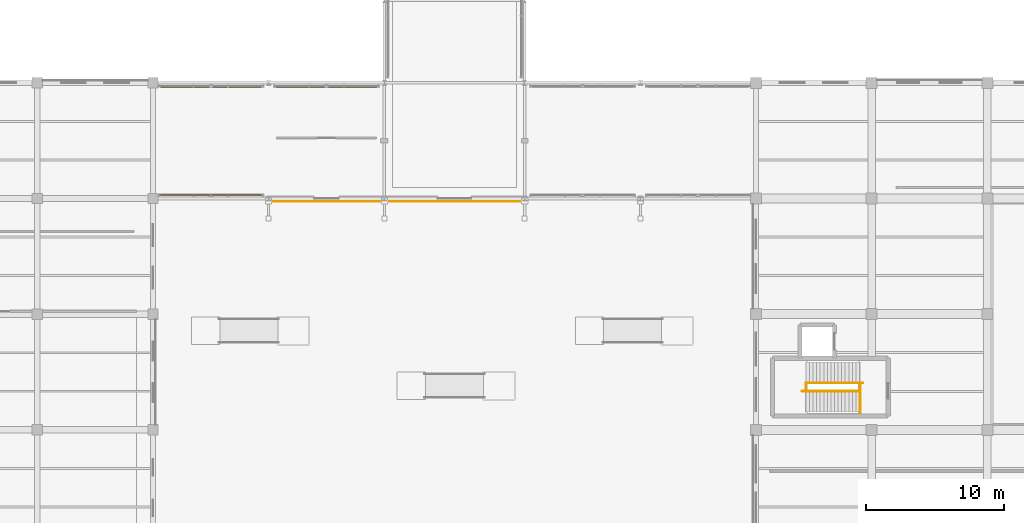
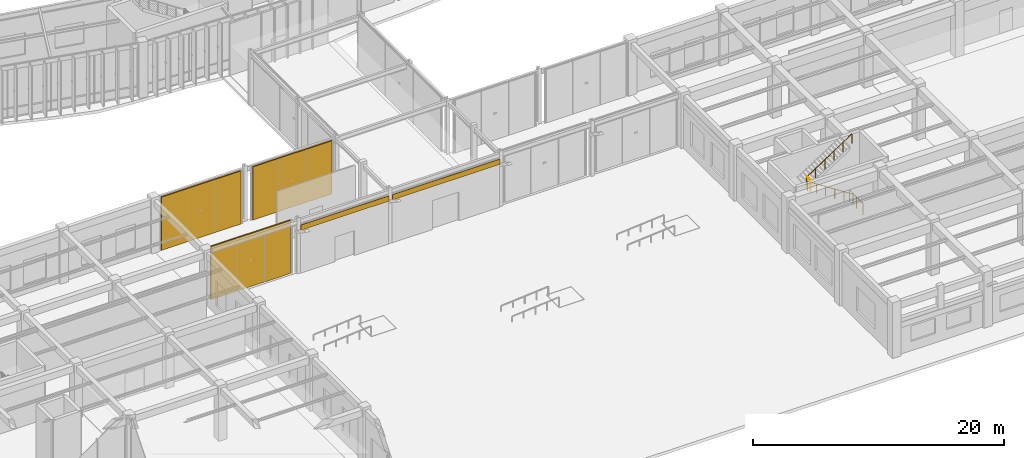
# One storey, part 146 of 157: 4 railings, 3 shading devices, 2 coverings.
"""IFC4 building model written with IfcOpenShell, lengths in metres."""

from ifc_helpers import new_model, si_unit, direction, frame, origin, origin_2d, place, context, subcontext, project, spatial, polyline, rectangle, circle, outline, extrude, material, layer, layer_set, type_object, element, save


model = new_model("IFC4")

# Units and contexts
model_context = context("Model", 3, precision=1e-05, world=origin(), true_north=direction((0.0, 1.0)))
body_context = subcontext(model_context, "Body", "Model", "MODEL_VIEW")
ifc_project = project(units=[si_unit("LENGTHUNIT", "METRE"), si_unit("AREAUNIT", "SQUARE_METRE"), si_unit("VOLUMEUNIT", "CUBIC_METRE"), si_unit("PLANEANGLEUNIT", "RADIAN"), si_unit("MASSUNIT", "GRAM", prefix="KILO"), si_unit("THERMODYNAMICTEMPERATUREUNIT", "KELVIN"), si_unit("POWERUNIT", "WATT")], contexts=[model_context])

# Site, building, storey
site_placement = place(None, origin())
site = spatial("IfcSite", under=ifc_project, at=site_placement, CompositionType="ELEMENT")
building_placement = place(site_placement, origin())
building = spatial("IfcBuilding", under=site, at=building_placement, Name="Darbajah Civic Hall", CompositionType="ELEMENT")
storey_placement = place(building_placement, origin())
storey = spatial("IfcBuildingStorey", under=building, at=storey_placement, Name="L00", CompositionType="ELEMENT", Elevation=0.0)

# Railings
ifc_material_1 = material(Name="Brushed Bronze Stainless Steel", Category="steel")
railing_type_1 = type_object("IfcRailingType", Name="Brushed Bronze Handrail", PredefinedType="HANDRAIL", material=ifc_material_1)
railing_1_placement = place(storey_placement, frame((118.52001953125, 19.60009765625, 0.168701171875)))
element("IfcRailing", 1, at=railing_1_placement, inside=storey, type_object=railing_type_1, Name="ST06 L00 lower flight handrail", PredefinedType="HANDRAIL", context=body_context, shape_type="SweptSolid", body=[
    extrude(circle(Radius=0.02392578125, at=origin_2d()), frame((-0.02294921875, 0.0, 0.910888671875), z_axis=(-0.837079509808, 0.0, 0.547081250145), x_axis=(0.0, -1.0, 0.0)), (0.0, 0.0, 1.0), 4.9150390625),
    extrude(circle(Radius=0.02099609375, at=origin_2d()), origin(), (0.0, 0.0, 1.0), 0.867919921875),
    extrude(circle(Radius=0.02099609375, at=origin_2d()), frame((-0.83203125, 0.0, 0.543701171875)), (0.0, 0.0, 1.0), 0.867919921875),
    extrude(circle(Radius=0.02099609375, at=origin_2d()), frame((-1.6640625, 0.0, 1.08740234375)), (0.0, 0.0, 1.0), 0.867919921875),
    extrude(circle(Radius=0.02099609375, at=origin_2d()), frame((-2.495849609375, 0.0, 1.63134765625)), (0.0, 0.0, 1.0), 0.867919921875),
    extrude(circle(Radius=0.02099609375, at=origin_2d()), frame((-3.327880859375, 0.0, 2.175048828125)), (0.0, 0.0, 1.0), 0.867919921875),
    extrude(circle(Radius=0.02099609375, at=origin_2d()), frame((-4.159912109375, 0.0, 2.71875)), (0.0, 0.0, 1.0), 0.867919921875),
])
railing_2_placement = place(storey_placement, frame((114.6201171875, 20.199951171875, 2.86865234375)))
element("IfcRailing", 2, at=railing_2_placement, inside=storey, type_object=railing_type_1, Name="ST06 L00 upper flight handrail", PredefinedType="HANDRAIL", context=body_context, shape_type="SweptSolid", body=[
    extrude(circle(Radius=0.02392578125, at=origin_2d()), frame((0.02294921875, 0.0, 0.910888671875), z_axis=(0.837079509808, 0.0, 0.547081250145), x_axis=(0.0, 1.0, 0.0)), (0.0, 0.0, 1.0), 4.9150390625),
    extrude(circle(Radius=0.02099609375, at=origin_2d()), origin(), (0.0, 0.0, 1.0), 0.867919921875),
    extrude(circle(Radius=0.02099609375, at=origin_2d()), frame((0.83203125, 0.0, 0.543701171875)), (0.0, 0.0, 1.0), 0.867919921875),
    extrude(circle(Radius=0.02099609375, at=origin_2d()), frame((1.6640625, 0.0, 1.08740234375)), (0.0, 0.0, 1.0), 0.867919921875),
    extrude(circle(Radius=0.02099609375, at=origin_2d()), frame((2.495849609375, 0.0, 1.63134765625)), (0.0, 0.0, 1.0), 0.867919921875),
    extrude(circle(Radius=0.02099609375, at=origin_2d()), frame((3.327880859375, 0.0, 2.175048828125)), (0.0, 0.0, 1.0), 0.867919921875),
    extrude(circle(Radius=0.02099609375, at=origin_2d()), frame((4.159912109375, 0.0, 2.71875)), (0.0, 0.0, 1.0), 0.867919921875),
])
ifc_material_2 = material(Name="Brushed Bronze and Laminated Safety Glass", Category="glass")
railing_type_2 = type_object("IfcRailingType", Name="Interior Guard Balustrade", PredefinedType="BALUSTRADE", material=ifc_material_2)
railing_3_placement = place(storey_placement, frame((118.570068359375, 18.050048828125, 0.0)))
element("IfcRailing", 3, at=railing_3_placement, inside=storey, type_object=railing_type_2, Name="ST06 L00 stair-well edge guard", PredefinedType="BALUSTRADE", context=body_context, shape_type="SweptSolid", body=[
    extrude(circle(Radius=0.02392578125, at=origin_2d()), frame((0.0, 0.02734375, 1.09619140625), z_axis=(0.0, 1.0, 0.0), x_axis=(-1.0, 0.0, 0.0)), (0.0, 0.0, 1.0), 2.09521484375),
    extrude(circle(Radius=0.02099609375, at=origin_2d()), origin(), (0.0, 0.0, 1.0), 1.068115234375),
    extrude(circle(Radius=0.02099609375, at=origin_2d()), frame((0.0, 1.074951171875, 0.0)), (0.0, 0.0, 1.0), 1.068115234375),
    extrude(circle(Radius=0.02099609375, at=origin_2d()), frame((0.0, 2.14990234375, 0.0)), (0.0, 0.0, 1.0), 1.068115234375),
])
railing_4_placement = place(storey_placement, frame((114.639892578125, 19.60009765625, 2.699951171875)))
element("IfcRailing", 4, at=railing_4_placement, inside=storey, type_object=railing_type_2, Name="ST06 L00 landing well guard", PredefinedType="BALUSTRADE", context=body_context, shape_type="SweptSolid", body=[
    extrude(circle(Radius=0.02392578125, at=origin_2d()), frame((0.0, 0.02734375, 1.09619140625), z_axis=(0.0, 1.0, 0.0), x_axis=(-1.0, 0.0, 0.0)), (0.0, 0.0, 1.0), 0.545166015625),
    extrude(circle(Radius=0.02099609375, at=origin_2d()), origin(), (0.0, 0.0, 1.0), 1.068115234375),
    extrude(circle(Radius=0.02099609375, at=origin_2d()), frame((0.0, 0.599853515625, 0.0)), (0.0, 0.0, 1.0), 1.068115234375),
])

# Coverings
ifc_material_3 = material(Name="Qatari Desert Limestone Ashlar", Category="masonry")
ifc_layer_1 = layer(ifc_material_3, 0.044921875, Name="Qatari Desert Limestone Ashlar")
ifc_layer_set_1 = layer_set([ifc_layer_1], Name="Qatari Desert Limestone Ashlar")
covering_type = type_object("IfcCoveringType", Name="Limestone Facade Cladding", PredefinedType="CLADDING", material=ifc_layer_set_1)
covering_1_placement = place(storey_placement, frame((0.0, 0.0, 4.202880859375)))
element("IfcCovering", 5, at=covering_1_placement, inside=storey, type_object=covering_type, Name="L00 stone frieze cladding EW-V6-PISHTAQ-S-L00", PredefinedType="CLADDING", context=body_context, shape_type="SweptSolid", body=[
    extrude(outline(polyline([(84.156494140625, 33.409912109375), (94.04345703125, 33.409912109375), (94.04345703125, 33.364990234375), (84.156494140625, 33.364990234375), (84.156494140625, 33.409912109375)])), origin(), (0.0, 0.0, 1.0), 0.5),
])
covering_2_placement = place(storey_placement, frame((0.0, 0.0, 4.202880859375)))
element("IfcCovering", 6, at=covering_2_placement, inside=storey, type_object=covering_type, Name="L00 stone frieze cladding EW-V6-FCC-L00", PredefinedType="CLADDING", context=body_context, shape_type="SweptSolid", body=[
    extrude(outline(polyline([(75.756591796875, 33.409912109375), (83.843505859375, 33.409912109375), (83.843505859375, 33.364990234375), (75.756591796875, 33.364990234375), (75.756591796875, 33.409912109375)])), origin(), (0.0, 0.0, 1.0), 0.5),
])

# Shading devices
ifc_material_4 = material(Name="Pierced Qatari Desert Limestone Jali", Category="masonry")
ifc_layer_2 = layer(ifc_material_4, 0.1201171875, Name="Pierced Qatari Desert Limestone Jali")
ifc_layer_set_2 = layer_set([ifc_layer_2], Name="Pierced Qatari Desert Limestone Jali")
shading_device_type = type_object("IfcShadingDeviceType", Name="Pierced Qatari Limestone Jali Screen", PredefinedType="JALOUSIE", material=ifc_layer_set_2)
for number, where, z_axis, x_axis, name in (
    (7, (71.39990234375, 33.85009765625, 0.0), (0.0, 0.0, 1.0), (1.0, 0.0, 0.0), "L00 pierced limestone jali screen SW-S"),
    (8, (71.39990234375, 41.75, 0.0), (0.0, 0.0, 1.0), (1.0, 0.0, 0.0), "L00 pierced limestone jali screen SW-N"),
    (9, (79.800048828125, 41.75, 0.0), (0.0, 0.0, 1.0), (1.0, 0.0, 0.0), "L00 pierced limestone jali screen SW-N2"),
):
    element("IfcShadingDevice", number, at=place(storey_placement, frame(where, z_axis=z_axis, x_axis=x_axis)), inside=storey, type_object=shading_device_type, Name=name, PredefinedType="JALOUSIE", context=body_context, shape_type="SweptSolid", body=[
        extrude(rectangle(XDim=7.300048828125, YDim=0.1201171875, at=origin_2d()), origin(), (0.0, 0.0, 1.0), 5.159912109375),
    ])

save(model, "model.ifc")
